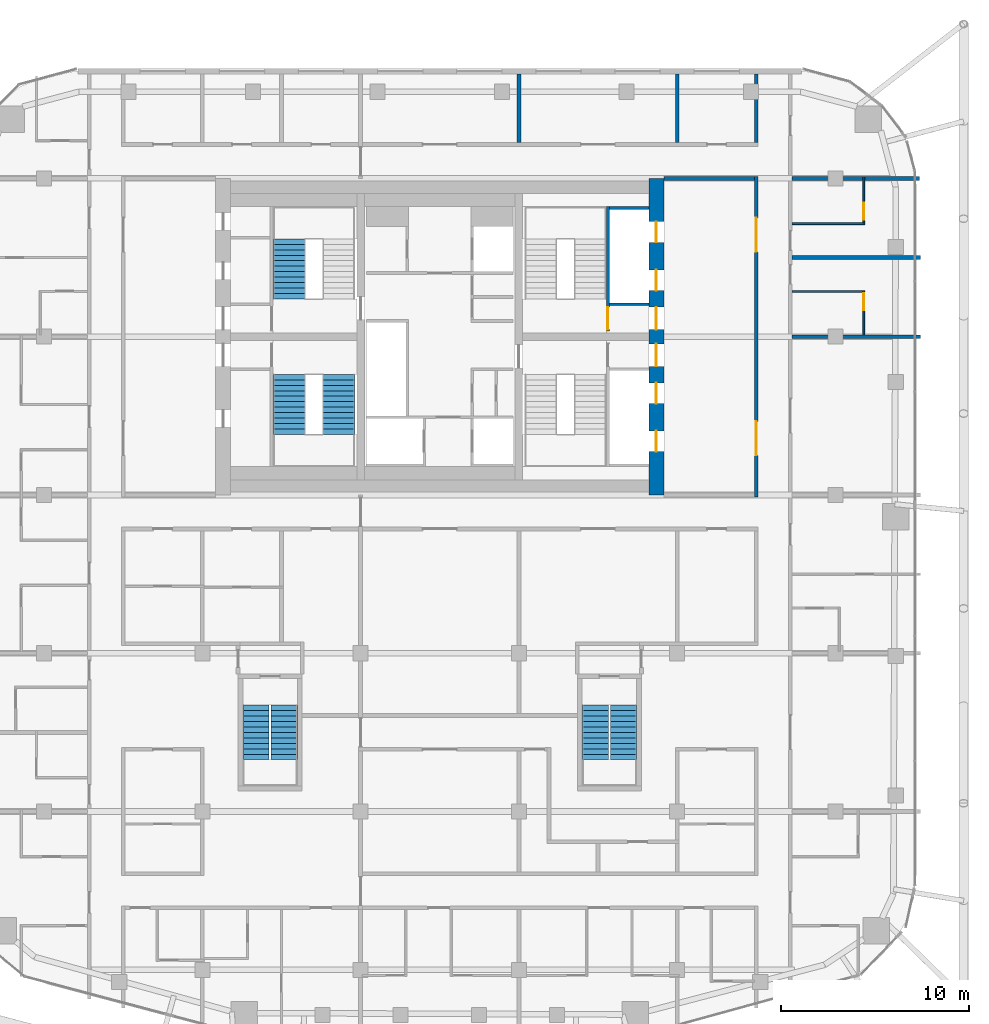
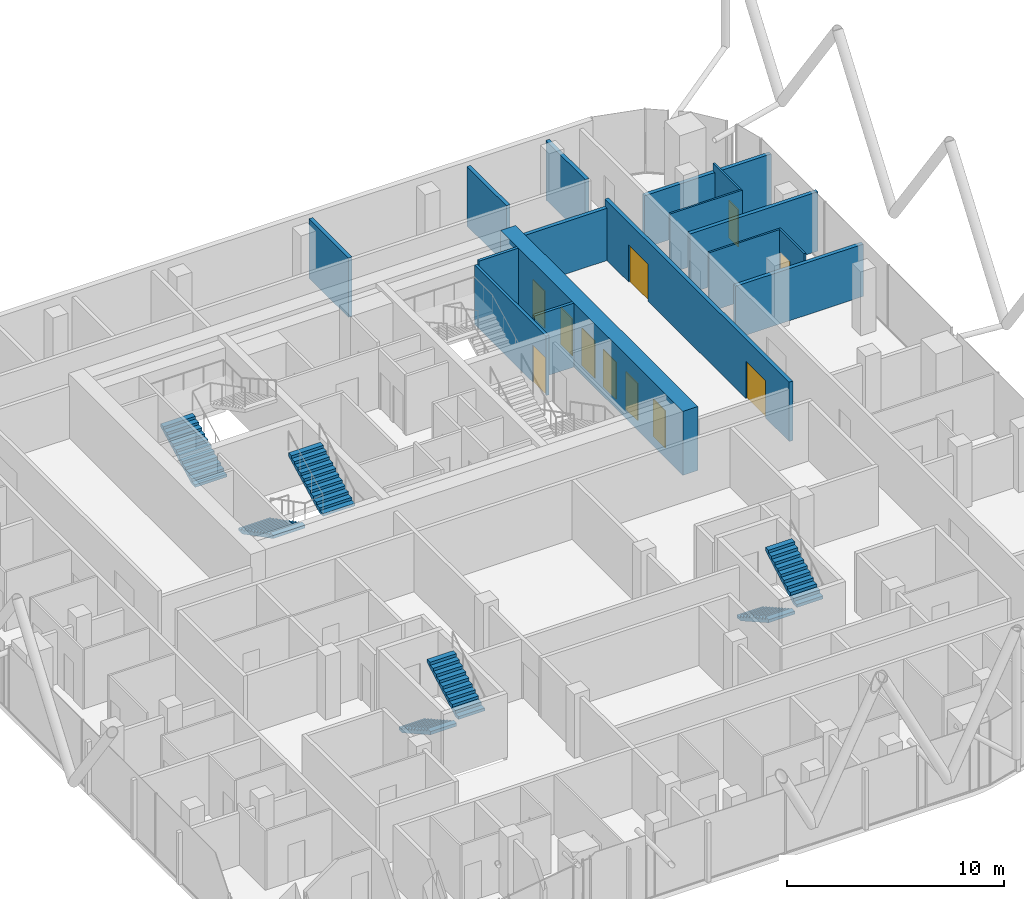
# One storey, part 29 of 31: 16 walls, 11 doors, 7 stair flights, 11 openings, 4 elements without a shape of their own.
"""IFC4 building model written with IfcOpenShell, lengths in metres."""

from ifc_helpers import new_model, si_unit, direction, frame, frame_2d, origin, place, context, subcontext, project, spatial, polyline, rectangle, outline, extrude, material, layer, layer_set, type_object, element, fill, aggregate, save


model = new_model("IFC4")

# Units and contexts
model_context = context("Model", 3, precision=1e-05, world=origin(), true_north=direction((0.0, 1.0)))
body_context = subcontext(model_context, "Body", "Model", "MODEL_VIEW")
ifc_project = project(units=[si_unit("LENGTHUNIT", "METRE"), si_unit("AREAUNIT", "SQUARE_METRE"), si_unit("VOLUMEUNIT", "CUBIC_METRE"), si_unit("PLANEANGLEUNIT", "RADIAN"), si_unit("MASSUNIT", "GRAM", prefix="KILO")], contexts=[model_context])

# Site, building, storey
site_placement = place(None, origin())
site = spatial("IfcSite", under=ifc_project, at=site_placement, CompositionType="ELEMENT")
building_placement = place(site_placement, origin())
building = spatial("IfcBuilding", under=site, at=building_placement, Name="Marenta Gate Hotel Tower", CompositionType="ELEMENT")
storey_placement = place(building_placement, frame((0.0, 0.0, 205.699951171875)))
storey = spatial("IfcBuildingStorey", under=building, at=storey_placement, Name="L47", CompositionType="ELEMENT", Elevation=205.699951171875)

# Wall, openings, doors
ifc_material_1 = material(Name="Concrete blockwork", Category="masonry")
ifc_layer_1 = layer(ifc_material_1, 0.199951171875)
ifc_layer_set_1 = layer_set([ifc_layer_1], Name="Concrete blockwork")
wall_type_1 = type_object("IfcWallType", Name="Core boundary wall 200 REI 180", PredefinedType="PARTITIONING", material=ifc_layer_set_1)
wall_1_placement = place(storey_placement, frame((16.800048828125, -0.10009765625, 0.0), z_axis=(0.0, 0.0, 1.0), x_axis=(0.0, 1.0, 0.0)))
wall_1 = element("IfcWall", 1, at=wall_1_placement, inside=storey, type_object=wall_type_1, Name="L47-CP-BW-E", PredefinedType="PARTITIONING", context=body_context, shape_type="SweptSolid", body=[
    extrude(rectangle(XDim=17.0, YDim=0.199951171875, at=frame_2d((8.5, 0.0))), origin(), (0.0, 0.0, 1.0), 3.340087890625),
])
opening_1_placement = place(wall_1_placement, frame((2.199951171875, 0.0, 0.0)))
opening_1 = element("IfcOpeningElement", 2, at=opening_1_placement, cuts=wall_1, Name="Opening ED-Ea-B", PredefinedType="OPENING", context=body_context, shape_type="SweptSolid", body=[
    extrude(rectangle(XDim=1.800048828125, YDim=2.10009765625, at=frame_2d((0.89990234375, 1.050048828125))), frame((0.0, 0.10009765625, 0.0), z_axis=(0.0, -1.0, 0.0), x_axis=(1.0, 0.0, 0.0)), (0.0, 0.0, 1.0), 0.199951171875),
])
opening_2_placement = place(wall_1_placement, frame((13.0, 0.0, 0.0)))
opening_2 = element("IfcOpeningElement", 3, at=opening_2_placement, cuts=wall_1, Name="Opening ED-Eb-B", PredefinedType="OPENING", context=body_context, shape_type="SweptSolid", body=[
    extrude(rectangle(XDim=1.800048828125, YDim=2.10009765625, at=frame_2d((0.89990234375, 1.050048828125))), frame((0.0, 0.10009765625, 0.0), z_axis=(0.0, -1.0, 0.0), x_axis=(1.0, 0.0, 0.0)), (0.0, 0.0, 1.0), 0.199951171875),
])
ifc_material_2 = material(Name="Steel", Category="steel")
door_type_1 = type_object("IfcDoorType", Name="Core lobby entrance door 1800x2100 EI 60", OperationType="DOUBLE_DOOR_SINGLE_SWING", PredefinedType="DOOR", material=ifc_material_2)
door_1_placement = place(opening_1_placement, origin())
door_1 = element("IfcDoor", 4, at=door_1_placement, inside=storey, type_object=door_type_1, Name="ED-Ea-B", OperationType="DOUBLE_DOOR_SINGLE_SWING", OverallHeight=2.10009765625, OverallWidth=1.800048828125, PredefinedType="DOOR", context=body_context, shape_type="SweptSolid", body=[
    extrude(rectangle(XDim=1.800048828125, YDim=2.10009765625, at=frame_2d((0.89990234375, 1.050048828125))), frame((0.0, 0.02490234375, 0.0), z_axis=(0.0, -1.0, 0.0), x_axis=(1.0, 0.0, 0.0)), (0.0, 0.0, 1.0), 0.050048828125),
])
fill(opening_1, door_1)
door_2_placement = place(opening_2_placement, origin())
door_2 = element("IfcDoor", 5, at=door_2_placement, inside=storey, type_object=door_type_1, Name="ED-Eb-B", OperationType="DOUBLE_DOOR_SINGLE_SWING", OverallHeight=2.10009765625, OverallWidth=1.800048828125, PredefinedType="DOOR", context=body_context, shape_type="SweptSolid", body=[
    extrude(rectangle(XDim=1.800048828125, YDim=2.10009765625, at=frame_2d((0.89990234375, 1.050048828125))), frame((0.0, 0.02490234375, 0.0), z_axis=(0.0, -1.0, 0.0), x_axis=(1.0, 0.0, 0.0)), (0.0, 0.0, 1.0), 0.050048828125),
])
fill(opening_2, door_2)

# Walls
wall_2_placement = place(storey_placement, frame((11.89990234375, 16.800048828125, 0.0), z_axis=(0.0, 0.0, 1.0), x_axis=(1.0, 0.0, 0.0)))
element("IfcWall", 6, at=wall_2_placement, inside=storey, type_object=wall_type_1, Name="L47-CP-EW-EN", PredefinedType="PARTITIONING", context=body_context, shape_type="SweptSolid", body=[
    extrude(rectangle(XDim=4.800048828125, YDim=0.199951171875, at=frame_2d((2.39990234375, 0.0))), origin(), (0.0, 0.0, 1.0), 2.93994140625),
])
ifc_material_3 = material(Name="Concrete C40", Category="concrete")
ifc_layer_2 = layer(ifc_material_3, 0.14990234375)
ifc_layer_set_2 = layer_set([ifc_layer_2], Name="Concrete C40")
wall_type_2 = type_object("IfcWallType", Name="Core shaft wall 150 REI 180", PredefinedType="SHEAR", material=ifc_layer_set_2)
for number, where, z_axis, x_axis, name in (
    (7, (9.0, 10.125, 0.0), (0.0, 0.0, 1.0), (1.0, 0.0, 0.0), "L47-SHF-SW-EN-2"),
    (8, (9.0, 15.22509765625, 0.0), (0.0, 0.0, 1.0), (1.0, 0.0, 0.0), "L47-SHF-SW-EN-5"),
):
    element("IfcWall", number, at=place(storey_placement, frame(where, z_axis=z_axis, x_axis=x_axis)), inside=storey, type_object=wall_type_2, Name=name, PredefinedType="SHEAR", context=body_context, shape_type="SweptSolid", body=[
        extrude(rectangle(XDim=2.10009765625, YDim=0.14990234375, at=frame_2d((1.050048828125, 0.0))), origin(), (0.0, 0.0, 1.0), 3.60009765625),
    ])

# Wall, opening, door
ifc_material_4 = material(Name="Concrete C40", Category="concrete")
ifc_layer_3 = layer(ifc_material_4, 0.14990234375)
ifc_layer_set_3 = layer_set([ifc_layer_3], Name="Concrete C40")
wall_type_3 = type_object("IfcWallType", Name="Core stair enclosure wall 150 REI 180", PredefinedType="SHEAR", material=ifc_layer_set_3)
wall_3_placement = place(storey_placement, frame((8.925048828125, 8.699951171875, 0.0), z_axis=(0.0, 0.0, 1.0), x_axis=(0.0, 1.0, 0.0)))
wall_3 = element("IfcWall", 9, at=wall_3_placement, inside=storey, type_object=wall_type_3, Name="L47-SHF-SW-EN-3", PredefinedType="SHEAR", context=body_context, shape_type="SweptSolid", body=[
    extrude(rectangle(XDim=6.60009765625, YDim=0.14990234375, at=frame_2d((3.300048828125, 0.0))), origin(), (0.0, 0.0, 1.0), 3.340087890625),
])
opening_3_placement = place(wall_3_placement, frame((0.074951171875, 0.0, 0.0)))
opening_3 = element("IfcOpeningElement", 10, at=opening_3_placement, cuts=wall_3, Name="Opening SD-EN", PredefinedType="OPENING", context=body_context, shape_type="SweptSolid", body=[
    extrude(rectangle(XDim=1.199951171875, YDim=2.10009765625, at=frame_2d((0.60009765625, 1.050048828125))), frame((0.0, 0.074951171875, 0.0), z_axis=(0.0, -1.0, 0.0), x_axis=(1.0, 0.0, 0.0)), (0.0, 0.0, 1.0), 0.14990234375),
])
ifc_material_5 = material(Name="Steel", Category="steel")
door_type_2 = type_object("IfcDoorType", Name="Core stair door 1200x2100 FD60", OperationType="SINGLE_SWING_LEFT", PredefinedType="DOOR", material=ifc_material_5)
door_3_placement = place(opening_3_placement, origin())
door_3 = element("IfcDoor", 11, at=door_3_placement, inside=storey, type_object=door_type_2, Name="SD-EN", OperationType="SINGLE_SWING_LEFT", OverallHeight=2.10009765625, OverallWidth=1.199951171875, PredefinedType="DOOR", context=body_context, shape_type="SweptSolid", body=[
    extrude(rectangle(XDim=1.199951171875, YDim=2.10009765625, at=frame_2d((0.60009765625, 1.050048828125))), frame((0.0, 0.02490234375, 0.0), z_axis=(0.0, -1.0, 0.0), x_axis=(1.0, 0.0, 0.0)), (0.0, 0.0, 1.0), 0.050048828125),
])
fill(opening_3, door_3)

# Wall, openings, doors
ifc_material_6 = material(Name="Concrete C60", Category="concrete")
ifc_layer_4 = layer(ifc_material_6, 0.800048828125)
ifc_layer_set_4 = layer_set([ifc_layer_4], Name="Concrete C60")
wall_type_4 = type_object("IfcWallType", Name="Core wall 800 C60", PredefinedType="SHEAR", material=ifc_layer_set_4)
wall_4_placement = place(storey_placement, frame((11.5, 0.0, 0.0), z_axis=(0.0, 0.0, 1.0), x_axis=(0.0, 1.0, 0.0)))
wall_4 = element("IfcWall", 12, at=wall_4_placement, inside=storey, type_object=wall_type_4, Name="L47-CORE-E", PredefinedType="SHEAR", context=body_context, shape_type="SweptSolid", body=[
    extrude(rectangle(XDim=16.800048828125, YDim=0.800048828125, at=frame_2d((8.39990234375, 0.0))), origin(), (0.0, 0.0, 1.0), 3.60009765625),
])
opening_4_placement = place(wall_4_placement, frame((2.300048828125, 0.0, 0.0)))
opening_4 = element("IfcOpeningElement", 13, at=opening_4_placement, cuts=wall_4, Name="Opening LD-HR1", PredefinedType="OPENING", context=body_context, shape_type="SweptSolid", body=[
    extrude(rectangle(XDim=1.10009765625, YDim=2.10009765625, at=frame_2d((0.550048828125, 1.050048828125))), frame((0.0, 0.39990234375, 0.0), z_axis=(0.0, -1.0, 0.0), x_axis=(1.0, 0.0, 0.0)), (0.0, 0.0, 1.0), 0.800048828125),
])
opening_5_placement = place(wall_4_placement, frame((4.85009765625, 0.0, 0.0)))
opening_5 = element("IfcOpeningElement", 14, at=opening_5_placement, cuts=wall_4, Name="Opening LD-HR2", PredefinedType="OPENING", context=body_context, shape_type="SweptSolid", body=[
    extrude(rectangle(XDim=1.10009765625, YDim=2.10009765625, at=frame_2d((0.550048828125, 1.050048828125))), frame((0.0, 0.39990234375, 0.0), z_axis=(0.0, -1.0, 0.0), x_axis=(1.0, 0.0, 0.0)), (0.0, 0.0, 1.0), 0.800048828125),
])
opening_6_placement = place(wall_4_placement, frame((6.824951171875, 0.0, 0.0)))
opening_6 = element("IfcOpeningElement", 15, at=opening_6_placement, cuts=wall_4, Name="Opening PD-ES", PredefinedType="OPENING", context=body_context, shape_type="SweptSolid", body=[
    extrude(rectangle(XDim=1.199951171875, YDim=2.10009765625, at=frame_2d((0.60009765625, 1.050048828125))), frame((0.0, 0.39990234375, 0.0), z_axis=(0.0, -1.0, 0.0), x_axis=(1.0, 0.0, 0.0)), (0.0, 0.0, 1.0), 0.800048828125),
])
opening_7_placement = place(wall_4_placement, frame((13.39990234375, 0.0, 0.0)))
opening_7 = element("IfcOpeningElement", 16, at=opening_7_placement, cuts=wall_4, Name="Opening LD-HR4", PredefinedType="OPENING", context=body_context, shape_type="SweptSolid", body=[
    extrude(rectangle(XDim=1.10009765625, YDim=2.10009765625, at=frame_2d((0.550048828125, 1.050048828125))), frame((0.0, 0.39990234375, 0.0), z_axis=(0.0, -1.0, 0.0), x_axis=(1.0, 0.0, 0.0)), (0.0, 0.0, 1.0), 0.800048828125),
])
opening_8_placement = place(wall_4_placement, frame((10.85009765625, 0.0, 0.0)))
opening_8 = element("IfcOpeningElement", 17, at=opening_8_placement, cuts=wall_4, Name="Opening LD-HR3", PredefinedType="OPENING", context=body_context, shape_type="SweptSolid", body=[
    extrude(rectangle(XDim=1.10009765625, YDim=2.10009765625, at=frame_2d((0.550048828125, 1.050048828125))), frame((0.0, 0.39990234375, 0.0), z_axis=(0.0, -1.0, 0.0), x_axis=(1.0, 0.0, 0.0)), (0.0, 0.0, 1.0), 0.800048828125),
])
opening_9_placement = place(wall_4_placement, frame((8.77490234375, 0.0, 0.0)))
opening_9 = element("IfcOpeningElement", 18, at=opening_9_placement, cuts=wall_4, Name="Opening PD-EN", PredefinedType="OPENING", context=body_context, shape_type="SweptSolid", body=[
    extrude(rectangle(XDim=1.199951171875, YDim=2.10009765625, at=frame_2d((0.60009765625, 1.050048828125))), frame((0.0, 0.39990234375, 0.0), z_axis=(0.0, -1.0, 0.0), x_axis=(1.0, 0.0, 0.0)), (0.0, 0.0, 1.0), 0.800048828125),
])
ifc_material_7 = material(Name="Steel", Category="steel")
door_type_3 = type_object("IfcDoorType", Name="Core lift landing door 1100x2100 E 60", OperationType="SLIDING_TO_LEFT", PredefinedType="DOOR", material=ifc_material_7)
door_4_placement = place(opening_4_placement, origin())
door_4 = element("IfcDoor", 19, at=door_4_placement, inside=storey, type_object=door_type_3, Name="LD-HR1", OperationType="SLIDING_TO_LEFT", OverallHeight=2.10009765625, OverallWidth=1.10009765625, PredefinedType="DOOR", context=body_context, shape_type="SweptSolid", body=[
    extrude(rectangle(XDim=1.10009765625, YDim=2.10009765625, at=frame_2d((0.550048828125, 1.050048828125))), frame((0.0, 0.02490234375, 0.0), z_axis=(0.0, -1.0, 0.0), x_axis=(1.0, 0.0, 0.0)), (0.0, 0.0, 1.0), 0.050048828125),
])
fill(opening_4, door_4)
door_5_placement = place(opening_5_placement, origin())
door_5 = element("IfcDoor", 20, at=door_5_placement, inside=storey, type_object=door_type_3, Name="LD-HR2", OperationType="SLIDING_TO_LEFT", OverallHeight=2.10009765625, OverallWidth=1.10009765625, PredefinedType="DOOR", context=body_context, shape_type="SweptSolid", body=[
    extrude(rectangle(XDim=1.10009765625, YDim=2.10009765625, at=frame_2d((0.550048828125, 1.050048828125))), frame((0.0, 0.02490234375, 0.0), z_axis=(0.0, -1.0, 0.0), x_axis=(1.0, 0.0, 0.0)), (0.0, 0.0, 1.0), 0.050048828125),
])
fill(opening_5, door_5)
door_6_placement = place(opening_7_placement, origin())
door_6 = element("IfcDoor", 21, at=door_6_placement, inside=storey, type_object=door_type_3, Name="LD-HR4", OperationType="SLIDING_TO_LEFT", OverallHeight=2.10009765625, OverallWidth=1.10009765625, PredefinedType="DOOR", context=body_context, shape_type="SweptSolid", body=[
    extrude(rectangle(XDim=1.10009765625, YDim=2.10009765625, at=frame_2d((0.550048828125, 1.050048828125))), frame((0.0, 0.02490234375, 0.0), z_axis=(0.0, -1.0, 0.0), x_axis=(1.0, 0.0, 0.0)), (0.0, 0.0, 1.0), 0.050048828125),
])
fill(opening_7, door_6)
door_7_placement = place(opening_8_placement, origin())
door_7 = element("IfcDoor", 22, at=door_7_placement, inside=storey, type_object=door_type_3, Name="LD-HR3", OperationType="SLIDING_TO_LEFT", OverallHeight=2.10009765625, OverallWidth=1.10009765625, PredefinedType="DOOR", context=body_context, shape_type="SweptSolid", body=[
    extrude(rectangle(XDim=1.10009765625, YDim=2.10009765625, at=frame_2d((0.550048828125, 1.050048828125))), frame((0.0, 0.02490234375, 0.0), z_axis=(0.0, -1.0, 0.0), x_axis=(1.0, 0.0, 0.0)), (0.0, 0.0, 1.0), 0.050048828125),
])
fill(opening_8, door_7)
ifc_material_8 = material(Name="Steel", Category="steel")
door_type_4 = type_object("IfcDoorType", Name="Core lobby door 1200x2100 FD60", OperationType="SINGLE_SWING_LEFT", PredefinedType="DOOR", material=ifc_material_8)
door_8_placement = place(opening_6_placement, origin())
door_8 = element("IfcDoor", 23, at=door_8_placement, inside=storey, type_object=door_type_4, Name="PD-ES", OperationType="SINGLE_SWING_LEFT", OverallHeight=2.10009765625, OverallWidth=1.199951171875, PredefinedType="DOOR", context=body_context, shape_type="SweptSolid", body=[
    extrude(rectangle(XDim=1.199951171875, YDim=2.10009765625, at=frame_2d((0.60009765625, 1.050048828125))), frame((0.0, 0.02490234375, 0.0), z_axis=(0.0, -1.0, 0.0), x_axis=(1.0, 0.0, 0.0)), (0.0, 0.0, 1.0), 0.050048828125),
])
fill(opening_6, door_8)
door_9_placement = place(opening_9_placement, origin())
door_9 = element("IfcDoor", 24, at=door_9_placement, inside=storey, type_object=door_type_4, Name="PD-EN", OperationType="SINGLE_SWING_LEFT", OverallHeight=2.10009765625, OverallWidth=1.199951171875, PredefinedType="DOOR", context=body_context, shape_type="SweptSolid", body=[
    extrude(rectangle(XDim=1.199951171875, YDim=2.10009765625, at=frame_2d((0.60009765625, 1.050048828125))), frame((0.0, 0.02490234375, 0.0), z_axis=(0.0, -1.0, 0.0), x_axis=(1.0, 0.0, 0.0)), (0.0, 0.0, 1.0), 0.050048828125),
])
fill(opening_9, door_9)

# Wall
ifc_material_9 = material(Name="Gypsum board on steel stud", Category="steel")
ifc_layer_5 = layer(ifc_material_9, 0.199951171875)
ifc_layer_set_5 = layer_set([ifc_layer_5], Name="Gypsum board on steel stud")
wall_type_5 = type_object("IfcWallType", Name="Room corridor wall 200 EI 60", PredefinedType="PARTITIONING", material=ifc_layer_set_5)
wall_5_placement = place(storey_placement, frame((16.800048828125, 18.699951171875, 0.0), z_axis=(0.0, 0.0, 1.0), x_axis=(0.0, 1.0, 0.0)))
element("IfcWall", 25, at=wall_5_placement, inside=storey, type_object=wall_type_5, Name="L47-PTN-W026", PredefinedType="PARTITIONING", context=body_context, shape_type="SweptSolid", body=[
    extrude(rectangle(XDim=3.64013671875, YDim=0.199951171875, at=frame_2d((1.820068359375, 0.0))), origin(), (0.0, 0.0, 1.0), 3.340087890625),
])

# Wall, opening, door
ifc_material_10 = material(Name="Gypsum board on steel stud", Category="steel")
ifc_layer_6 = layer(ifc_material_10, 0.10009765625)
ifc_layer_set_6 = layer_set([ifc_layer_6], Name="Gypsum board on steel stud")
wall_type_6 = type_object("IfcWallType", Name="Room partition 100", PredefinedType="PARTITIONING", material=ifc_layer_set_6)
wall_6_placement = place(storey_placement, frame((22.5, 8.5, 0.0), z_axis=(0.0, 0.0, 1.0), x_axis=(0.0, 1.0, 0.0)))
wall_6 = element("IfcWall", 26, at=wall_6_placement, inside=storey, type_object=wall_type_6, Name="L47-PTN-W009", PredefinedType="PARTITIONING", context=body_context, shape_type="SweptSolid", body=[
    extrude(rectangle(XDim=2.35009765625, YDim=0.10009765625, at=frame_2d((1.175048828125, 0.0))), origin(), (0.0, 0.0, 1.0), 3.340087890625),
])
opening_10_placement = place(wall_6_placement, frame((1.300048828125, 0.0, 0.0)))
opening_10 = element("IfcOpeningElement", 27, at=opening_10_placement, cuts=wall_6, Name="Opening G16-25", PredefinedType="OPENING", context=body_context, shape_type="SweptSolid", body=[
    extrude(rectangle(XDim=0.89990234375, YDim=2.10009765625, at=frame_2d((0.449951171875, 1.050048828125))), frame((0.0, 0.050048828125, 0.0), z_axis=(0.0, -1.0, 0.0), x_axis=(1.0, 0.0, 0.0)), (0.0, 0.0, 1.0), 0.10009765625),
])
ifc_material_11 = material(Name="Timber door leaf", Category="wood")
door_type_5 = type_object("IfcDoorType", Name="Guest bathroom door 900x2100", OperationType="NOTDEFINED", PredefinedType="DOOR", material=ifc_material_11)
door_10_placement = place(opening_10_placement, origin())
door_10 = element("IfcDoor", 28, at=door_10_placement, inside=storey, type_object=door_type_5, Name="L47-PD-D025", OperationType="SINGLE_SWING_RIGHT", OverallHeight=2.10009765625, OverallWidth=0.89990234375, PredefinedType="DOOR", context=body_context, shape_type="SweptSolid", body=[
    extrude(rectangle(XDim=0.89990234375, YDim=2.10009765625, at=frame_2d((0.449951171875, 1.050048828125))), frame((0.0, 0.02490234375, 0.0), z_axis=(0.0, -1.0, 0.0), x_axis=(1.0, 0.0, 0.0)), (0.0, 0.0, 1.0), 0.050048828125),
])
fill(opening_10, door_10)

wall_7_placement = place(storey_placement, frame((22.5, 14.449951171875, 0.0), z_axis=(0.0, 0.0, 1.0), x_axis=(0.0, 1.0, 0.0)))
wall_7 = element("IfcWall", 29, at=wall_7_placement, inside=storey, type_object=wall_type_6, Name="L47-PTN-W010", PredefinedType="PARTITIONING", context=body_context, shape_type="SweptSolid", body=[
    extrude(rectangle(XDim=2.449951171875, YDim=0.10009765625, at=frame_2d((1.22509765625, 0.0))), origin(), (0.0, 0.0, 1.0), 3.340087890625),
])
opening_11_placement = place(wall_7_placement, frame((0.14990234375, 0.0, 0.0)))
opening_11 = element("IfcOpeningElement", 30, at=opening_11_placement, cuts=wall_7, Name="Opening G16-27", PredefinedType="OPENING", context=body_context, shape_type="SweptSolid", body=[
    extrude(rectangle(XDim=0.89990234375, YDim=2.10009765625, at=frame_2d((0.449951171875, 1.050048828125))), frame((0.0, 0.050048828125, 0.0), z_axis=(0.0, -1.0, 0.0), x_axis=(1.0, 0.0, 0.0)), (0.0, 0.0, 1.0), 0.10009765625),
])
door_11_placement = place(opening_11_placement, origin())
door_11 = element("IfcDoor", 31, at=door_11_placement, inside=storey, type_object=door_type_5, Name="L47-PD-D027", OperationType="SINGLE_SWING_LEFT", OverallHeight=2.10009765625, OverallWidth=0.89990234375, PredefinedType="DOOR", context=body_context, shape_type="SweptSolid", body=[
    extrude(rectangle(XDim=0.89990234375, YDim=2.10009765625, at=frame_2d((0.449951171875, 1.050048828125))), frame((0.0, 0.02490234375, 0.0), z_axis=(0.0, -1.0, 0.0), x_axis=(1.0, 0.0, 0.0)), (0.0, 0.0, 1.0), 0.050048828125),
])
fill(opening_11, door_11)

# Walls
wall_8_placement = place(storey_placement, frame((18.699951171875, 10.800048828125, 0.0), z_axis=(0.0, 0.0, 1.0), x_axis=(1.0, 0.0, 0.0)))
element("IfcWall", 32, at=wall_8_placement, inside=storey, type_object=wall_type_6, Name="L47-PTN-W084", PredefinedType="PARTITIONING", context=body_context, shape_type="SweptSolid", body=[
    extrude(rectangle(XDim=3.75, YDim=0.10009765625, at=frame_2d((1.875, 0.0))), origin(), (0.0, 0.0, 1.0), 3.340087890625),
])
wall_9_placement = place(storey_placement, frame((18.699951171875, 14.39990234375, 0.0), z_axis=(0.0, 0.0, 1.0), x_axis=(1.0, 0.0, 0.0)))
element("IfcWall", 33, at=wall_9_placement, inside=storey, type_object=wall_type_6, Name="L47-PTN-W091", PredefinedType="PARTITIONING", context=body_context, shape_type="SweptSolid", body=[
    extrude(rectangle(XDim=3.85009765625, YDim=0.10009765625, at=frame_2d((1.925048828125, 0.0))), origin(), (0.0, 0.0, 1.0), 3.340087890625),
])
ifc_material_12 = material(Name="Gypsum board on steel stud", Category="steel")
ifc_layer_7 = layer(ifc_material_12, 0.199951171875)
ifc_layer_set_7 = layer_set([ifc_layer_7], Name="Gypsum board on steel stud")
wall_type_7 = type_object("IfcWallType", Name="Room party wall 200 EI 60", PredefinedType="PARTITIONING", material=ifc_layer_set_7)
for number, where, z_axis, x_axis, name in (
    (34, (12.60009765625, 18.699951171875, 0.0), (0.0, 0.0, 1.0), (0.0, 1.0, 0.0), "L47-PTN-W037"),
    (35, (4.199951171875, 18.699951171875, 0.0), (0.0, 0.0, 1.0), (0.0, 1.0, 0.0), "L47-PTN-W061"),
):
    element("IfcWall", number, at=place(storey_placement, frame(where, z_axis=z_axis, x_axis=x_axis)), inside=storey, type_object=wall_type_7, Name=name, PredefinedType="PARTITIONING", context=body_context, shape_type="SweptSolid", body=[
        extrude(rectangle(XDim=3.64013671875, YDim=0.199951171875, at=frame_2d((1.820068359375, 0.0))), origin(), (0.0, 0.0, 1.0), 3.340087890625),
    ])
wall_10_placement = place(storey_placement, frame((18.699951171875, 8.39990234375, 0.0), z_axis=(0.0, 0.0, 1.0), x_axis=(1.0, 0.0, 0.0)))
element("IfcWall", 36, at=wall_10_placement, inside=storey, type_object=wall_type_7, Name="L47-PTN-W080", PredefinedType="PARTITIONING", context=body_context, shape_type="SweptSolid", body=[
    extrude(rectangle(XDim=6.800048828125, YDim=0.199951171875, at=frame_2d((3.39990234375, 0.0))), origin(), (0.0, 0.0, 1.0), 2.93994140625),
])
wall_11_placement = place(storey_placement, frame((18.699951171875, 12.60009765625, 0.0), z_axis=(0.0, 0.0, 1.0), x_axis=(1.0, 0.0, 0.0)))
element("IfcWall", 37, at=wall_11_placement, inside=storey, type_object=wall_type_7, Name="L47-PTN-W090", PredefinedType="PARTITIONING", context=body_context, shape_type="SweptSolid", body=[
    extrude(rectangle(XDim=6.800048828125, YDim=0.199951171875, at=frame_2d((3.39990234375, 0.0))), origin(), (0.0, 0.0, 1.0), 3.340087890625),
])
wall_12_placement = place(storey_placement, frame((18.699951171875, 16.800048828125, 0.0), z_axis=(0.0, 0.0, 1.0), x_axis=(1.0, 0.0, 0.0)))
element("IfcWall", 38, at=wall_12_placement, inside=storey, type_object=wall_type_7, Name="L47-PTN-W098", PredefinedType="PARTITIONING", context=body_context, shape_type="SweptSolid", body=[
    extrude(rectangle(XDim=6.7470703125, YDim=0.199951171875, at=frame_2d((3.37353515625, 0.0))), origin(), (0.0, 0.0, 1.0), 2.93994140625),
])

# Stair, stair flights
ifc_material_13 = material(Name="Concrete C40", Category="concrete")
stair_type_1 = type_object("IfcStairType", Name="Core exit stair 1700 wide", PredefinedType="HALF_TURN_STAIR", material=ifc_material_13)
stair_1_placement = place(storey_placement, origin())
stair_1 = element("IfcStair", 39, at=stair_1_placement, inside=storey, type_object=stair_type_1, Name="Exit stair 1", PredefinedType="HALF_TURN_STAIR")
ifc_material_14 = material(Name="Concrete C40", Category="concrete")
stair_flight_type_1 = type_object("IfcStairFlightType", Name="Core stair flight 1700 riser 150.0 going 290", PredefinedType="STRAIGHT", material=ifc_material_14)
stair_flight_1_placement = place(storey_placement, frame((-8.0, 6.39990234375, 0.0), z_axis=(0.0, 0.0, 1.0), x_axis=(0.0, -1.0, 0.0)))
stair_flight_1 = element("IfcStairFlight", 40, at=stair_flight_1_placement, type_object=stair_flight_type_1, Name="ST1 flight 1", NumberOfRisers=12, NumberOfTreads=11, PredefinedType="STRAIGHT", RiserHeight=0.15, TreadLength=0.29, context=body_context, shape_type="SweptSolid", body=[
    extrude(outline(polyline([(0.0, 0.0), (0.0, 0.14990234375), (0.2900390625, 0.14990234375), (0.2900390625, 0.300048828125), (0.580078125, 0.300048828125), (0.580078125, 0.449951171875), (0.8701171875, 0.449951171875), (0.8701171875, 0.60009765625), (1.159912109375, 0.60009765625), (1.159912109375, 0.75), (1.449951171875, 0.75), (1.449951171875, 0.89990234375), (1.739990234375, 0.89990234375), (1.739990234375, 1.050048828125), (2.030029296875, 1.050048828125), (2.030029296875, 1.199951171875), (2.320068359375, 1.199951171875), (2.320068359375, 1.35009765625), (2.610107421875, 1.35009765625), (2.610107421875, 1.5), (2.89990234375, 1.5), (2.89990234375, 1.64990234375), (3.18994140625, 1.64990234375), (3.18994140625, 1.800048828125), (3.18994140625, 1.481201171875), (0.326171875, 0.0), (0.0, 0.0)])), frame((0.0, 0.85009765625, 0.0), z_axis=(0.0, -1.0, 0.0), x_axis=(1.0, 0.0, 0.0)), (0.0, 0.0, 1.0), 1.699951171875),
])
stair_flight_2_placement = place(storey_placement, frame((-5.35009765625, 3.2099609375, 1.800048828125), z_axis=(0.0, 0.0, 1.0), x_axis=(0.0, 1.0, 0.0)))
stair_flight_2 = element("IfcStairFlight", 41, at=stair_flight_2_placement, type_object=stair_flight_type_1, Name="ST1 flight 2", NumberOfRisers=12, NumberOfTreads=11, PredefinedType="STRAIGHT", RiserHeight=0.15, TreadLength=0.29, context=body_context, shape_type="SweptSolid", body=[
    extrude(outline(polyline([(0.0, 0.0), (0.0, 0.14990234375), (0.2900390625, 0.14990234375), (0.2900390625, 0.300048828125), (0.580078125, 0.300048828125), (0.580078125, 0.449951171875), (0.8701171875, 0.449951171875), (0.8701171875, 0.60009765625), (1.159912109375, 0.60009765625), (1.159912109375, 0.75), (1.449951171875, 0.75), (1.449951171875, 0.89990234375), (1.739990234375, 0.89990234375), (1.739990234375, 1.050048828125), (2.030029296875, 1.050048828125), (2.030029296875, 1.199951171875), (2.320068359375, 1.199951171875), (2.320068359375, 1.35009765625), (2.610107421875, 1.35009765625), (2.610107421875, 1.5), (2.89990234375, 1.5), (2.89990234375, 1.64990234375), (3.18994140625, 1.64990234375), (3.18994140625, 1.800048828125), (3.18994140625, 1.481201171875), (0.326171875, 0.0), (0.0, 0.0)])), frame((0.0, 0.85009765625, 0.0), z_axis=(0.0, -1.0, 0.0), x_axis=(1.0, 0.0, 0.0)), (0.0, 0.0, 1.0), 1.699951171875),
])
aggregate(stair_1, [stair_flight_1, stair_flight_2])

# Stair, stair flight
stair_2_placement = place(storey_placement, origin())
stair_2 = element("IfcStair", 42, at=stair_2_placement, inside=storey, type_object=stair_type_1, Name="Exit stair 2", PredefinedType="HALF_TURN_STAIR")
stair_flight_3_placement = place(storey_placement, frame((-8.0, 10.39990234375, 0.0), z_axis=(0.0, 0.0, 1.0), x_axis=(0.0, 1.0, 0.0)))
stair_flight_3 = element("IfcStairFlight", 43, at=stair_flight_3_placement, type_object=stair_flight_type_1, Name="ST2 flight 1", NumberOfRisers=12, NumberOfTreads=11, PredefinedType="STRAIGHT", RiserHeight=0.15, TreadLength=0.29, context=body_context, shape_type="SweptSolid", body=[
    extrude(outline(polyline([(0.0, 0.0), (0.0, 0.14990234375), (0.2900390625, 0.14990234375), (0.2900390625, 0.300048828125), (0.580078125, 0.300048828125), (0.580078125, 0.449951171875), (0.8701171875, 0.449951171875), (0.8701171875, 0.60009765625), (1.159912109375, 0.60009765625), (1.159912109375, 0.75), (1.449951171875, 0.75), (1.449951171875, 0.89990234375), (1.739990234375, 0.89990234375), (1.739990234375, 1.050048828125), (2.030029296875, 1.050048828125), (2.030029296875, 1.199951171875), (2.320068359375, 1.199951171875), (2.320068359375, 1.35009765625), (2.610107421875, 1.35009765625), (2.610107421875, 1.5), (2.89990234375, 1.5), (2.89990234375, 1.64990234375), (3.18994140625, 1.64990234375), (3.18994140625, 1.800048828125), (3.18994140625, 1.481201171875), (0.326171875, 0.0), (0.0, 0.0)])), frame((0.0, 0.85009765625, 0.0), z_axis=(0.0, -1.0, 0.0), x_axis=(1.0, 0.0, 0.0)), (0.0, 0.0, 1.0), 1.699951171875),
])
aggregate(stair_2, [stair_flight_3])

# Stair, stair flights
ifc_material_15 = material(Name="Concrete C40", Category="concrete")
stair_type_2 = type_object("IfcStairType", Name="Remote exit stair 1400 wide", PredefinedType="HALF_TURN_STAIR", material=ifc_material_15)
stair_3_placement = place(storey_placement, origin())
stair_3 = element("IfcStair", 44, at=stair_3_placement, inside=storey, type_object=stair_type_2, Name="Exit stair RS-Z3-1", PredefinedType="HALF_TURN_STAIR")
ifc_material_16 = material(Name="Concrete C40", Category="concrete")
stair_flight_type_2 = type_object("IfcStairFlightType", Name="Remote stair flight 1400 riser 163.6 going 290", PredefinedType="STRAIGHT", material=ifc_material_16)
stair_flight_4_placement = place(storey_placement, frame((-9.75, -11.14990234375, 0.0), z_axis=(0.0, 0.0, 1.0), x_axis=(0.0, -1.0, 0.0)))
stair_flight_4 = element("IfcStairFlight", 45, at=stair_flight_4_placement, type_object=stair_flight_type_2, Name="RS-Z3-1 flight 1", NumberOfRisers=11, NumberOfTreads=10, PredefinedType="STRAIGHT", RiserHeight=0.163636, TreadLength=0.29, context=body_context, shape_type="SweptSolid", body=[
    extrude(outline(polyline([(0.0, 0.0), (0.0, 0.16357421875), (0.2900390625, 0.16357421875), (0.2900390625, 0.327392578125), (0.580078125, 0.327392578125), (0.580078125, 0.490966796875), (0.8701171875, 0.490966796875), (0.8701171875, 0.654541015625), (1.159912109375, 0.654541015625), (1.159912109375, 0.818115234375), (1.449951171875, 0.818115234375), (1.449951171875, 0.98193359375), (1.739990234375, 0.98193359375), (1.739990234375, 1.1455078125), (2.030029296875, 1.1455078125), (2.030029296875, 1.30908203125), (2.320068359375, 1.30908203125), (2.320068359375, 1.47265625), (2.610107421875, 1.47265625), (2.610107421875, 1.636474609375), (2.89990234375, 1.636474609375), (2.89990234375, 1.800048828125), (2.89990234375, 1.46435546875), (0.304931640625, 0.0), (0.0, 0.0)])), frame((0.0, 0.699951171875, 0.0), z_axis=(0.0, -1.0, 0.0), x_axis=(1.0, 0.0, 0.0)), (0.0, 0.0, 1.0), 1.39990234375),
])
stair_flight_5_placement = place(storey_placement, frame((-8.25, -14.050048828125, 1.800048828125), z_axis=(0.0, 0.0, 1.0), x_axis=(0.0, 1.0, 0.0)))
stair_flight_5 = element("IfcStairFlight", 46, at=stair_flight_5_placement, type_object=stair_flight_type_2, Name="RS-Z3-1 flight 2", NumberOfRisers=11, NumberOfTreads=10, PredefinedType="STRAIGHT", RiserHeight=0.163636, TreadLength=0.29, context=body_context, shape_type="SweptSolid", body=[
    extrude(outline(polyline([(0.0, 0.0), (0.0, 0.16357421875), (0.2900390625, 0.16357421875), (0.2900390625, 0.327392578125), (0.580078125, 0.327392578125), (0.580078125, 0.490966796875), (0.8701171875, 0.490966796875), (0.8701171875, 0.654541015625), (1.159912109375, 0.654541015625), (1.159912109375, 0.818115234375), (1.449951171875, 0.818115234375), (1.449951171875, 0.98193359375), (1.739990234375, 0.98193359375), (1.739990234375, 1.1455078125), (2.030029296875, 1.1455078125), (2.030029296875, 1.30908203125), (2.320068359375, 1.30908203125), (2.320068359375, 1.47265625), (2.610107421875, 1.47265625), (2.610107421875, 1.636474609375), (2.89990234375, 1.636474609375), (2.89990234375, 1.800048828125), (2.89990234375, 1.46435546875), (0.304931640625, 0.0), (0.0, 0.0)])), frame((0.0, 0.699951171875, 0.0), z_axis=(0.0, -1.0, 0.0), x_axis=(1.0, 0.0, 0.0)), (0.0, 0.0, 1.0), 1.39990234375),
])
aggregate(stair_3, [stair_flight_4, stair_flight_5])

stair_4_placement = place(storey_placement, origin())
stair_4 = element("IfcStair", 47, at=stair_4_placement, inside=storey, type_object=stair_type_2, Name="Exit stair RS-Z3-2", PredefinedType="HALF_TURN_STAIR")
stair_flight_6_placement = place(storey_placement, frame((8.25, -11.14990234375, 0.0), z_axis=(0.0, 0.0, 1.0), x_axis=(0.0, -1.0, 0.0)))
stair_flight_6 = element("IfcStairFlight", 48, at=stair_flight_6_placement, type_object=stair_flight_type_2, Name="RS-Z3-2 flight 1", NumberOfRisers=11, NumberOfTreads=10, PredefinedType="STRAIGHT", RiserHeight=0.163636, TreadLength=0.29, context=body_context, shape_type="SweptSolid", body=[
    extrude(outline(polyline([(0.0, 0.0), (0.0, 0.16357421875), (0.2900390625, 0.16357421875), (0.2900390625, 0.327392578125), (0.580078125, 0.327392578125), (0.580078125, 0.490966796875), (0.8701171875, 0.490966796875), (0.8701171875, 0.654541015625), (1.159912109375, 0.654541015625), (1.159912109375, 0.818115234375), (1.449951171875, 0.818115234375), (1.449951171875, 0.98193359375), (1.739990234375, 0.98193359375), (1.739990234375, 1.1455078125), (2.030029296875, 1.1455078125), (2.030029296875, 1.30908203125), (2.320068359375, 1.30908203125), (2.320068359375, 1.47265625), (2.610107421875, 1.47265625), (2.610107421875, 1.636474609375), (2.89990234375, 1.636474609375), (2.89990234375, 1.800048828125), (2.89990234375, 1.46435546875), (0.304931640625, 0.0), (0.0, 0.0)])), frame((0.0, 0.699951171875, 0.0), z_axis=(0.0, -1.0, 0.0), x_axis=(1.0, 0.0, 0.0)), (0.0, 0.0, 1.0), 1.39990234375),
])
stair_flight_7_placement = place(storey_placement, frame((9.75, -14.050048828125, 1.800048828125), z_axis=(0.0, 0.0, 1.0), x_axis=(0.0, 1.0, 0.0)))
stair_flight_7 = element("IfcStairFlight", 49, at=stair_flight_7_placement, type_object=stair_flight_type_2, Name="RS-Z3-2 flight 2", NumberOfRisers=11, NumberOfTreads=10, PredefinedType="STRAIGHT", RiserHeight=0.163636, TreadLength=0.29, context=body_context, shape_type="SweptSolid", body=[
    extrude(outline(polyline([(0.0, 0.0), (0.0, 0.16357421875), (0.2900390625, 0.16357421875), (0.2900390625, 0.327392578125), (0.580078125, 0.327392578125), (0.580078125, 0.490966796875), (0.8701171875, 0.490966796875), (0.8701171875, 0.654541015625), (1.159912109375, 0.654541015625), (1.159912109375, 0.818115234375), (1.449951171875, 0.818115234375), (1.449951171875, 0.98193359375), (1.739990234375, 0.98193359375), (1.739990234375, 1.1455078125), (2.030029296875, 1.1455078125), (2.030029296875, 1.30908203125), (2.320068359375, 1.30908203125), (2.320068359375, 1.47265625), (2.610107421875, 1.47265625), (2.610107421875, 1.636474609375), (2.89990234375, 1.636474609375), (2.89990234375, 1.800048828125), (2.89990234375, 1.46435546875), (0.304931640625, 0.0), (0.0, 0.0)])), frame((0.0, 0.699951171875, 0.0), z_axis=(0.0, -1.0, 0.0), x_axis=(1.0, 0.0, 0.0)), (0.0, 0.0, 1.0), 1.39990234375),
])
aggregate(stair_4, [stair_flight_6, stair_flight_7])

save(model, "model.ifc")
